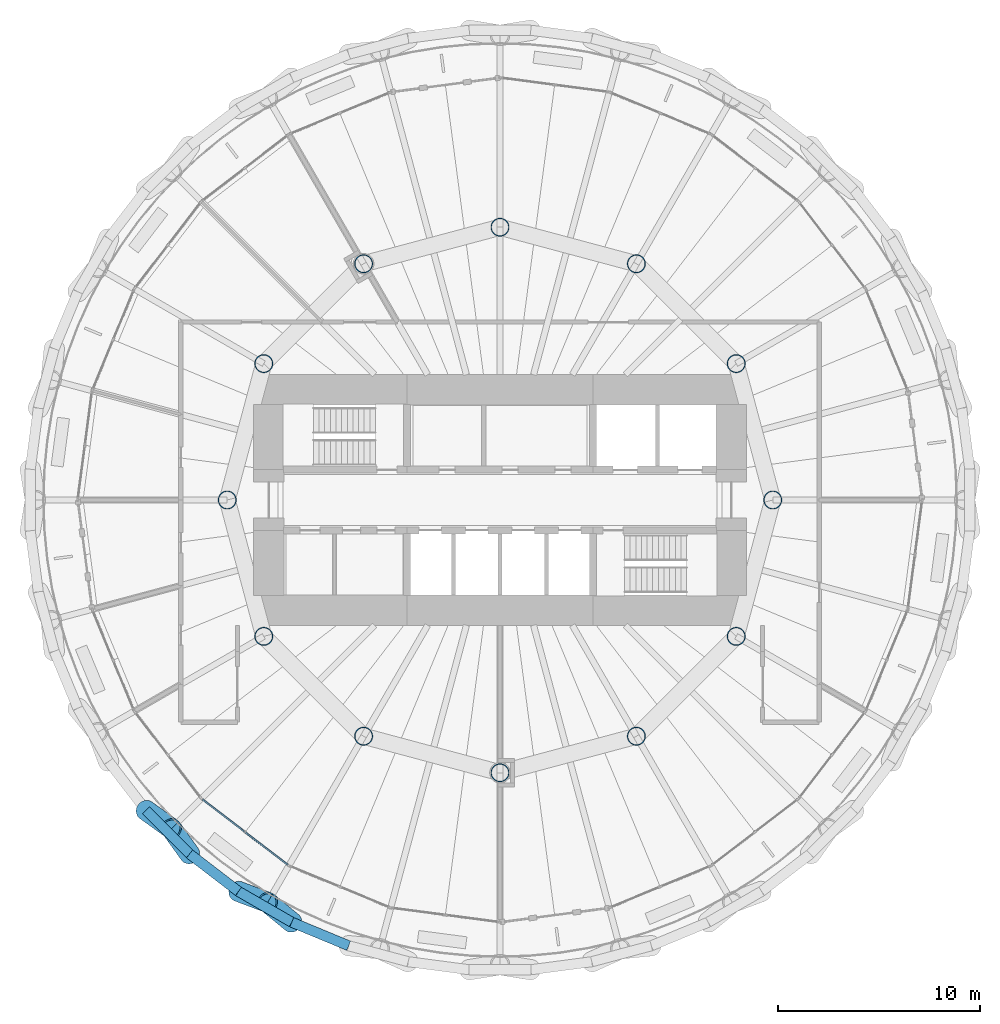
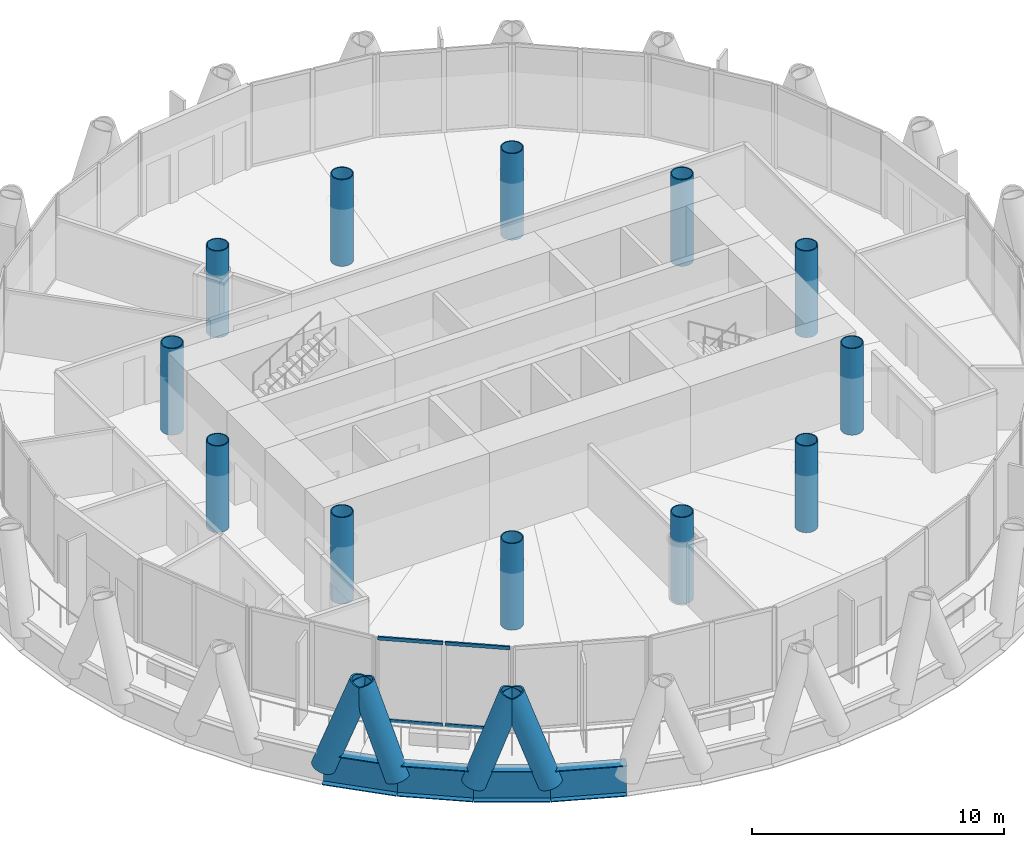
# One storey, part 1 of 14: 12 columns, 8 members, 4 beams, 1 element without a shape of its own.
"""IFC4 building model written with IfcOpenShell, lengths in metres."""

from ifc_helpers import new_model, si_unit, direction, frame, origin, origin_2d, place, context, subcontext, project, spatial, rectangle, hollow_circle, i_section, extrude, material, material_profile, profile_set, type_object, element, aggregate, save


model = new_model("IFC4")

# Units and contexts
model_context = context("Model", 3, precision=1e-05, world=origin(), true_north=direction((0.0, 1.0)))
body_context = subcontext(model_context, "Body", "Model", "MODEL_VIEW")
ifc_project = project(units=[si_unit("LENGTHUNIT", "METRE"), si_unit("AREAUNIT", "SQUARE_METRE"), si_unit("VOLUMEUNIT", "CUBIC_METRE"), si_unit("PLANEANGLEUNIT", "RADIAN"), si_unit("MASSUNIT", "GRAM", prefix="KILO")], contexts=[model_context])

# Site, building, storey
site_placement = place(None, origin())
site = spatial("IfcSite", under=ifc_project, at=site_placement, CompositionType="ELEMENT")
building_placement = place(site_placement, origin())
building = spatial("IfcBuilding", under=site, at=building_placement, Name="Qaws Media Tower", CompositionType="ELEMENT")
storey_placement = place(building_placement, frame((0.0, 0.0, 206.60009765625)))
storey = spatial("IfcBuildingStorey", under=building, at=storey_placement, Name="L47", CompositionType="ELEMENT", Elevation=206.60009765625)

# Columns
ifc_material_1 = material(Name="Steel S460", Category="steel")
ifc_material_profile_1 = material_profile(ifc_material_1, hollow_circle(Radius=0.45703125, WallThickness=0.044921875, at=origin_2d()), Name="CHS 914x45")
ifc_profile_set_1 = profile_set([ifc_material_profile_1], Name="Steel S460")
column_type = type_object("IfcColumnType", Name="Inner column CHS 914x45", PredefinedType="COLUMN", material=ifc_profile_set_1)
for number, where, z_axis, x_axis, name in (
    (1, (73.5, 50.0, 0.0), (0.0, 0.0, 1.0), (1.0, 0.0, 0.0), "C3 inner column I01 L47"),
    (2, (71.69140625, 56.75, 0.0), (0.0, 0.0, 1.0), (1.0, 0.0, 0.0), "C3 inner column I02 L47"),
    (3, (66.75, 61.69140625, 0.0), (0.0, 0.0, 1.0), (1.0, 0.0, 0.0), "C3 inner column I03 L47"),
    (4, (60.0, 63.5, 0.0), (0.0, 0.0, 1.0), (1.0, 0.0, 0.0), "C3 inner column I04 L47"),
    (5, (53.25, 61.69140625, 0.0), (0.0, 0.0, 1.0), (1.0, 0.0, 0.0), "C3 inner column I05 L47"),
    (6, (48.30859375, 56.75, 0.0), (0.0, 0.0, 1.0), (1.0, 0.0, 0.0), "C3 inner column I06 L47"),
    (7, (46.5, 50.0, 0.0), (0.0, 0.0, 1.0), (1.0, 0.0, 0.0), "C3 inner column I07 L47"),
    (8, (48.30859375, 43.25, 0.0), (0.0, 0.0, 1.0), (1.0, 0.0, 0.0), "C3 inner column I08 L47"),
    (9, (53.25, 38.30859375, 0.0), (0.0, 0.0, 1.0), (1.0, 0.0, 0.0), "C3 inner column I09 L47"),
    (10, (60.0, 36.5, 0.0), (0.0, 0.0, 1.0), (1.0, 0.0, 0.0), "C3 inner column I10 L47"),
    (11, (66.75, 38.30859375, 0.0), (0.0, 0.0, 1.0), (1.0, 0.0, 0.0), "C3 inner column I11 L47"),
    (12, (71.69140625, 43.25, 0.0), (0.0, 0.0, 1.0), (1.0, 0.0, 0.0), "C3 inner column I12 L47"),
):
    element("IfcColumn", number, at=place(storey_placement, frame(where, z_axis=z_axis, x_axis=x_axis)), inside=storey, type_object=column_type, Name=name, PredefinedType="COLUMN", context=body_context, shape_type="SweptSolid", body=[
        extrude(hollow_circle(Radius=0.45703125, WallThickness=0.044921875, at=origin_2d()), origin(), (0.0, 0.0, 1.0), 4.199951171875),
    ])

# Curtain wall, members
ifc_material_2 = material(Name="Aluminium and clear glass", Category="aluminium")
curtain_wall_type = type_object("IfcCurtainWallType", Name="Unitised curtain wall CW-C", PredefinedType="NOTDEFINED", material=ifc_material_2)
curtain_wall_placement = place(storey_placement, origin())
curtain_wall = element("IfcCurtainWall", 13, at=curtain_wall_placement, inside=storey, type_object=curtain_wall_type, Name="CWC curtain wall L47-16", PredefinedType="NOTDEFINED")
ifc_material_3 = material(Name="Aluminium transom", Category="aluminium")
ifc_material_profile_2 = material_profile(ifc_material_3, rectangle(XDim=0.080078125, YDim=0.159912109375, at=origin_2d()), Name="80x160")
ifc_profile_set_2 = profile_set([ifc_material_profile_2], Name="Aluminium transom")
member_type_1 = type_object("IfcMemberType", Name="Curtain wall transom 80x160", PredefinedType="USERDEFINED", material=ifc_profile_set_2)
member_1_placement = place(storey_placement, frame((45.284912109375, 35.1728515625, 0.039794921875), z_axis=(0.793357690605, -0.608755759528, 0.0), x_axis=(0.608755759528, 0.793357690605, 0.0)))
member_1 = element("IfcMember", 14, at=member_1_placement, type_object=member_type_1, Name="CWC transom 1.1", ObjectType="TRANSOM", PredefinedType="USERDEFINED", context=body_context, shape_type="SweptSolid", body=[
    extrude(rectangle(XDim=0.080078125, YDim=0.159912109375, at=origin_2d()), origin(), (0.0, 0.0, 1.0), 2.60791015625),
])
member_2_placement = place(storey_placement, frame((45.284912109375, 35.1728515625, 4.0), z_axis=(0.793357690605, -0.608755759528, 0.0), x_axis=(0.608755759528, 0.793357690605, 0.0)))
member_2 = element("IfcMember", 15, at=member_2_placement, type_object=member_type_1, Name="CWC transom 1.2", ObjectType="TRANSOM", PredefinedType="USERDEFINED", context=body_context, shape_type="SweptSolid", body=[
    extrude(rectangle(XDim=0.080078125, YDim=0.159912109375, at=origin_2d()), origin(), (0.0, 0.0, 1.0), 2.60791015625),
])
member_3_placement = place(storey_placement, frame((47.41748046875, 33.536376953125, 0.039794921875), z_axis=(0.793357690605, -0.608755759528, 0.0), x_axis=(0.608755759528, 0.793357690605, 0.0)))
member_3 = element("IfcMember", 16, at=member_3_placement, type_object=member_type_1, Name="CWC transom 2.1", ObjectType="TRANSOM", PredefinedType="USERDEFINED", context=body_context, shape_type="SweptSolid", body=[
    extrude(rectangle(XDim=0.080078125, YDim=0.159912109375, at=origin_2d()), origin(), (0.0, 0.0, 1.0), 2.60791015625),
])
member_4_placement = place(storey_placement, frame((47.41748046875, 33.536376953125, 4.0), z_axis=(0.793357690605, -0.608755759528, 0.0), x_axis=(0.608755759528, 0.793357690605, 0.0)))
member_4 = element("IfcMember", 17, at=member_4_placement, type_object=member_type_1, Name="CWC transom 2.2", ObjectType="TRANSOM", PredefinedType="USERDEFINED", context=body_context, shape_type="SweptSolid", body=[
    extrude(rectangle(XDim=0.080078125, YDim=0.159912109375, at=origin_2d()), origin(), (0.0, 0.0, 1.0), 2.60791015625),
])
aggregate(curtain_wall, [member_1, member_2, member_3, member_4])

# Members
ifc_material_4 = material(Name="Steel S460", Category="steel")
ifc_material_profile_3 = material_profile(ifc_material_4, hollow_circle(Radius=0.508056640625, WallThickness=0.070068359375, at=origin_2d()), Name="CHS 1016x70")
ifc_profile_set_3 = profile_set([ifc_material_profile_3], Name="Steel S460")
member_type_2 = type_object("IfcMemberType", Name="Diagrid member CHS 1016x70", PredefinedType="USERDEFINED", material=ifc_profile_set_3)
for number, where, z_axis, x_axis, name in (
    (18, (42.482177734375, 34.63720703125, -0.91015625), (0.280321331697, -0.201266133248, 0.938569067572), (0.583225507839, 0.812310289856, 0.0), "DG3 diagrid L47 A15"),
    (19, (47.05517578125, 30.626708984375, -0.91015625), (0.322874178804, -0.121882547389, 0.938561084482), (0.353166911029, 0.935560331007, 0.0), "DG3 diagrid L47 A16"),
    (20, (44.63720703125, 32.482177734375, -0.91015625), (-0.201266133248, 0.280321331697, 0.938569067572), (-0.812310289856, -0.583225507839, 0.0), "DG3 diagrid L47 B16"),
    (21, (49.694580078125, 29.102783203125, -0.91015625), (-0.266955405454, 0.218671012683, 0.93857221337), (-0.633676776351, -0.77359792083, 0.0), "DG3 diagrid L47 B17"),
):
    element("IfcMember", number, at=place(storey_placement, frame(where, z_axis=z_axis, x_axis=x_axis)), inside=storey, type_object=member_type_2, Name=name, ObjectType="DIAGRID", PredefinedType="USERDEFINED", context=body_context, shape_type="SweptSolid", body=[
        extrude(hollow_circle(Radius=0.508056640625, WallThickness=0.070068359375, at=origin_2d()), origin(), (0.0, 0.0, 1.0), 4.474853515625),
    ])

# Beams
ifc_material_5 = material(Name="Steel S460", Category="steel")
ifc_material_profile_4 = material_profile(ifc_material_5, i_section(OverallWidth=0.5, OverallDepth=1.5, WebThickness=0.02001953125, FlangeThickness=0.0400390625, at=origin_2d()), Name="PG 1500x500")
ifc_profile_set_4 = profile_set([ifc_material_profile_4], Name="Steel S460")
beam_type = type_object("IfcBeamType", Name="Edge ring beam PG 1500x500", PredefinedType="BEAM", material=ifc_profile_set_4)
beam_placement = place(storey_placement, frame((42.482177734375, 34.63720703125, -0.91015625), z_axis=(0.707106781187, -0.707106781187, 0.0), x_axis=(0.707106781187, 0.707106781187, 0.0)))
element("IfcBeam", 22, at=beam_placement, inside=storey, type_object=beam_type, Name="RB4 edge ring beam L47-30", PredefinedType="BEAM", context=body_context, shape_type="SweptSolid", body=[
    extrude(i_section(OverallWidth=0.5, OverallDepth=1.5, WebThickness=0.02001953125, FlangeThickness=0.0400390625, at=origin_2d()), origin(), (0.0, 0.0, 1.0), 3.047607421875),
])
for number, where, z_axis, x_axis, name in (
    (23, (44.63720703125, 32.482177734375, -0.91015625), (0.793338116406, -0.608781268648, 0.0), (0.608781268648, 0.793338116406, 0.0), "RB4 edge ring beam L47-31"),
    (24, (47.05517578125, 30.626708984375, -0.91015625), (0.866016168704, -0.500015995287, 0.0), (0.500015995287, 0.866016168704, 0.0), "RB4 edge ring beam L47-32"),
    (25, (49.694580078125, 29.102783203125, -0.91015625), (0.923894802877, -0.382646564361, 0.0), (0.382646564361, 0.923894802877, 0.0), "RB4 edge ring beam L47-33"),
):
    element("IfcBeam", number, at=place(storey_placement, frame(where, z_axis=z_axis, x_axis=x_axis)), inside=storey, type_object=beam_type, Name=name, PredefinedType="BEAM", context=body_context, shape_type="SweptSolid", body=[
        extrude(i_section(OverallWidth=0.5, OverallDepth=1.5, WebThickness=0.02001953125, FlangeThickness=0.0400390625, at=origin_2d()), origin(), (0.0, 0.0, 1.0), 3.0478515625),
    ])

save(model, "model.ifc")
